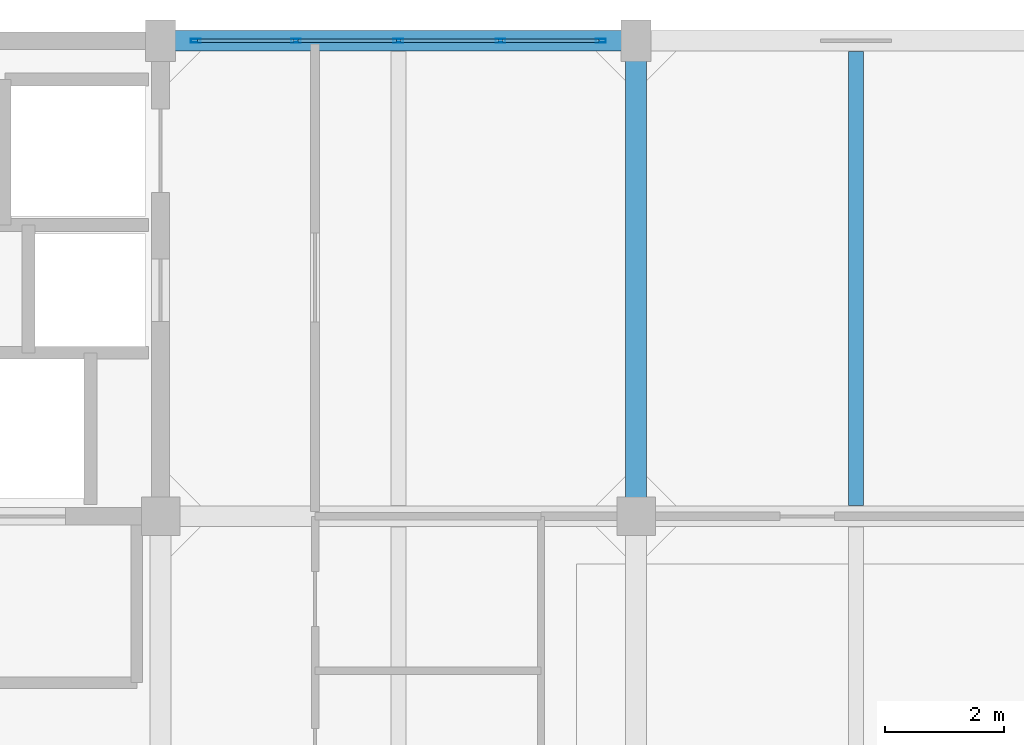
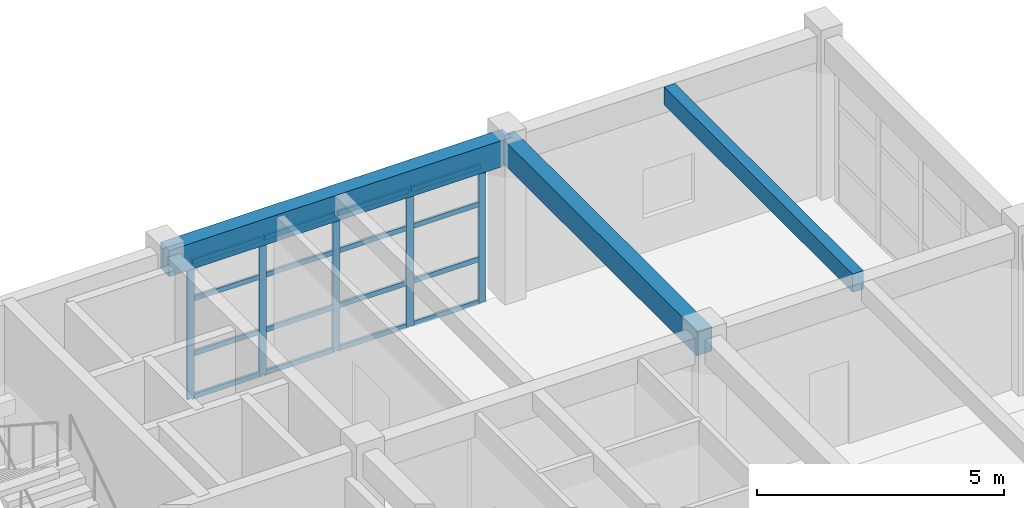
# One storey, part 13 of 20: 21 members, 3 beams, 1 element without a shape of its own.
"""IFC4 building model written with IfcOpenShell, lengths in metres."""

from ifc_helpers import new_model, si_unit, direction, frame, origin, origin_2d, place, context, subcontext, project, spatial, rectangle, hollow_rectangle, extrude, material, layer, layer_set, material_profile, profile_set, type_object, element, aggregate, save


model = new_model("IFC4")

# Units and contexts
model_context = context("Model", 3, precision=1e-05, world=origin(), true_north=direction((0.0, 1.0)))
body_context = subcontext(model_context, "Body", "Model", "MODEL_VIEW")
ifc_project = project(units=[si_unit("LENGTHUNIT", "METRE"), si_unit("AREAUNIT", "SQUARE_METRE"), si_unit("VOLUMEUNIT", "CUBIC_METRE"), si_unit("PLANEANGLEUNIT", "RADIAN"), si_unit("MASSUNIT", "GRAM", prefix="KILO")], contexts=[model_context])

# Site, building, storey
site_placement = place(None, origin())
site = spatial("IfcSite", under=ifc_project, at=site_placement, CompositionType="ELEMENT")
building_placement = place(site_placement, origin())
building = spatial("IfcBuilding", under=site, at=building_placement, Name="Canggui Botanical Conservatory", CompositionType="ELEMENT")
storey_placement = place(building_placement, frame((0.0, 0.0, 57.0)))
storey = spatial("IfcBuildingStorey", under=building, at=storey_placement, Name="L14", CompositionType="ELEMENT", Elevation=57.0)

# Beams
ifc_material_1 = material(Name="Concrete C35", Category="concrete")
ifc_material_profile_1 = material_profile(ifc_material_1, rectangle(XDim=0.25, YDim=0.449951171875, at=origin_2d()), Name="RB 250x450")
ifc_profile_set_1 = profile_set([ifc_material_profile_1], Name="Concrete C35")
beam_type_1 = type_object("IfcBeamType", Name="BM-JST05", PredefinedType="JOIST", material=ifc_profile_set_1)
beam_1_placement = place(storey_placement, frame((173.699951171875, 58.179931640625, 3.735107421875), z_axis=(0.0, 1.0, 0.0), x_axis=(-1.0, 0.0, 0.0)))
element("IfcBeam", 1, at=beam_1_placement, inside=storey, type_object=beam_type_1, Name="Secondary Floor Joist L14-4-3", PredefinedType="JOIST", context=body_context, shape_type="SweptSolid", body=[
    extrude(rectangle(XDim=0.25, YDim=0.449951171875, at=origin_2d()), origin(), (0.0, 0.0, 1.0), 7.64013671875),
])
ifc_material_profile_2 = material_profile(ifc_material_1, rectangle(XDim=0.35009765625, YDim=0.64990234375, at=origin_2d()), Name="RB 350x650")
ifc_profile_set_2 = profile_set([ifc_material_profile_2], Name="Concrete C35")
beam_type_2 = type_object("IfcBeamType", Name="BM-KL18", PredefinedType="BEAM", material=ifc_profile_set_2)
beam_2_placement = place(storey_placement, frame((162.0, 66.0, 3.635009765625), z_axis=(1.0, 0.0, 0.0), x_axis=(0.0, 1.0, 0.0)))
element("IfcBeam", 2, at=beam_2_placement, inside=storey, type_object=beam_type_2, Name="Frame Girder L14 Y66-3", PredefinedType="BEAM", context=body_context, shape_type="SweptSolid", body=[
    extrude(rectangle(XDim=0.35009765625, YDim=0.64990234375, at=origin_2d()), origin(), (0.0, 0.0, 1.0), 8.0),
])
ifc_material_profile_3 = material_profile(ifc_material_1, rectangle(XDim=0.35009765625, YDim=0.60009765625, at=origin_2d()), Name="RB 350x600")
ifc_profile_set_3 = profile_set([ifc_material_profile_3], Name="Concrete C35")
beam_type_3 = type_object("IfcBeamType", Name="BM-KL19", PredefinedType="BEAM", material=ifc_profile_set_3)
beam_3_placement = place(storey_placement, frame((170.0, 58.0, 3.659912109375), z_axis=(0.0, 1.0, 0.0), x_axis=(-1.0, 0.0, 0.0)))
element("IfcBeam", 3, at=beam_3_placement, inside=storey, type_object=beam_type_3, Name="Frame Girder L14 X170-3", PredefinedType="BEAM", context=body_context, shape_type="SweptSolid", body=[
    extrude(rectangle(XDim=0.35009765625, YDim=0.60009765625, at=origin_2d()), origin(), (0.0, 0.0, 1.0), 8.0),
])

# Curtain wall, members
ifc_material_2 = material(Name="Thermally Broken Aluminium", Category="aluminium")
ifc_layer = layer(ifc_material_2, 0.1650390625, Name="Thermally Broken Aluminium", Category="aluminium")
ifc_layer_set = layer_set([ifc_layer], Name="Thermally Broken Aluminium")
curtain_wall_type = type_object("IfcCurtainWallType", Name="CW-UNIT-B", PredefinedType="USERDEFINED", material=ifc_layer_set)
curtain_wall_placement = place(storey_placement, origin())
curtain_wall = element("IfcCurtainWall", 4, at=curtain_wall_placement, inside=storey, type_object=curtain_wall_type, Name="Facade Curtain Wall CW-TWR-L14-08", ObjectType="UNITISED CURTAIN WALL", PredefinedType="USERDEFINED")
ifc_material_profile_4 = material_profile(ifc_material_2, hollow_rectangle(XDim=0.06494140625, YDim=0.1650390625, WallThickness=0.00390625, at=origin_2d()), Name="CWM 65x165x4")
ifc_profile_set_4 = profile_set([ifc_material_profile_4], Name="Thermally Broken Aluminium")
member_type_1 = type_object("IfcMemberType", Name="CWM-02", PredefinedType="MULLION", material=ifc_profile_set_4)
member_1_placement = place(storey_placement, frame((162.592529296875, 66.0, 0.0), z_axis=(0.0, 0.0, 1.0), x_axis=(0.0, 1.0, 0.0)))
member_1 = element("IfcMember", 5, at=member_1_placement, type_object=member_type_1, Name="CW-02 mullion 1", PredefinedType="MULLION", context=body_context, shape_type="SweptSolid", body=[
    extrude(hollow_rectangle(XDim=0.06494140625, YDim=0.1650390625, WallThickness=0.00390625, at=origin_2d()), origin(), (0.0, 0.0, 1.0), 3.39990234375),
])
member_2_placement = place(storey_placement, frame((164.280029296875, 66.0, 0.0), z_axis=(0.0, 0.0, 1.0), x_axis=(0.0, 1.0, 0.0)))
member_2 = element("IfcMember", 6, at=member_2_placement, type_object=member_type_1, Name="CW-02 mullion 2", PredefinedType="MULLION", context=body_context, shape_type="SweptSolid", body=[
    extrude(hollow_rectangle(XDim=0.06494140625, YDim=0.1650390625, WallThickness=0.00390625, at=origin_2d()), origin(), (0.0, 0.0, 1.0), 3.39990234375),
])
member_3_placement = place(storey_placement, frame((166.0, 66.0, 0.0), z_axis=(0.0, 0.0, 1.0), x_axis=(0.0, 1.0, 0.0)))
member_3 = element("IfcMember", 7, at=member_3_placement, type_object=member_type_1, Name="CW-02 mullion 3", PredefinedType="MULLION", context=body_context, shape_type="SweptSolid", body=[
    extrude(hollow_rectangle(XDim=0.06494140625, YDim=0.1650390625, WallThickness=0.00390625, at=origin_2d()), origin(), (0.0, 0.0, 1.0), 3.39990234375),
])
member_4_placement = place(storey_placement, frame((167.719970703125, 66.0, 0.0), z_axis=(0.0, 0.0, 1.0), x_axis=(0.0, 1.0, 0.0)))
member_4 = element("IfcMember", 8, at=member_4_placement, type_object=member_type_1, Name="CW-02 mullion 4", PredefinedType="MULLION", context=body_context, shape_type="SweptSolid", body=[
    extrude(hollow_rectangle(XDim=0.06494140625, YDim=0.1650390625, WallThickness=0.00390625, at=origin_2d()), origin(), (0.0, 0.0, 1.0), 3.39990234375),
])
member_5_placement = place(storey_placement, frame((169.407470703125, 66.0, 0.0), z_axis=(0.0, 0.0, 1.0), x_axis=(0.0, 1.0, 0.0)))
member_5 = element("IfcMember", 9, at=member_5_placement, type_object=member_type_1, Name="CW-02 mullion 5", PredefinedType="MULLION", context=body_context, shape_type="SweptSolid", body=[
    extrude(hollow_rectangle(XDim=0.06494140625, YDim=0.1650390625, WallThickness=0.00390625, at=origin_2d()), origin(), (0.0, 0.0, 1.0), 3.39990234375),
])
ifc_material_profile_5 = material_profile(ifc_material_2, hollow_rectangle(XDim=0.06005859375, YDim=0.1201171875, WallThickness=0.00341796875, at=origin_2d()), Name="CWT 60x120x3.5")
ifc_profile_set_5 = profile_set([ifc_material_profile_5], Name="Thermally Broken Aluminium")
member_type_2 = type_object("IfcMemberType", Name="CWT-02", PredefinedType="USERDEFINED", material=ifc_profile_set_5)
member_6_placement = place(storey_placement, frame((162.625, 66.0, 0.030029296875), z_axis=(1.0, 0.0, 0.0), x_axis=(0.0, 1.0, 0.0)))
member_6 = element("IfcMember", 10, at=member_6_placement, type_object=member_type_2, Name="CW-02 transom 1.1", ObjectType="TRANSOM", PredefinedType="USERDEFINED", context=body_context, shape_type="SweptSolid", body=[
    extrude(hollow_rectangle(XDim=0.06005859375, YDim=0.1201171875, WallThickness=0.00341796875, at=origin_2d()), origin(), (0.0, 0.0, 1.0), 1.62255859375),
])
member_7_placement = place(storey_placement, frame((162.625, 66.0, 1.087890625), z_axis=(1.0, 0.0, 0.0), x_axis=(0.0, 1.0, 0.0)))
member_7 = element("IfcMember", 11, at=member_7_placement, type_object=member_type_2, Name="CW-02 transom 1.2", ObjectType="TRANSOM", PredefinedType="USERDEFINED", context=body_context, shape_type="SweptSolid", body=[
    extrude(hollow_rectangle(XDim=0.06005859375, YDim=0.1201171875, WallThickness=0.00341796875, at=origin_2d()), origin(), (0.0, 0.0, 1.0), 1.62255859375),
])
member_8_placement = place(storey_placement, frame((162.625, 66.0, 2.447998046875), z_axis=(1.0, 0.0, 0.0), x_axis=(0.0, 1.0, 0.0)))
member_8 = element("IfcMember", 12, at=member_8_placement, type_object=member_type_2, Name="CW-02 transom 1.3", ObjectType="TRANSOM", PredefinedType="USERDEFINED", context=body_context, shape_type="SweptSolid", body=[
    extrude(hollow_rectangle(XDim=0.06005859375, YDim=0.1201171875, WallThickness=0.00341796875, at=origin_2d()), origin(), (0.0, 0.0, 1.0), 1.62255859375),
])
member_9_placement = place(storey_placement, frame((162.625, 66.0, 3.3701171875), z_axis=(1.0, 0.0, 0.0), x_axis=(0.0, 1.0, 0.0)))
member_9 = element("IfcMember", 13, at=member_9_placement, type_object=member_type_2, Name="CW-02 transom 1.4", ObjectType="TRANSOM", PredefinedType="USERDEFINED", context=body_context, shape_type="SweptSolid", body=[
    extrude(hollow_rectangle(XDim=0.06005859375, YDim=0.1201171875, WallThickness=0.00341796875, at=origin_2d()), origin(), (0.0, 0.0, 1.0), 1.62255859375),
])
member_10_placement = place(storey_placement, frame((164.3125, 66.0, 0.030029296875), z_axis=(1.0, 0.0, 0.0), x_axis=(0.0, 1.0, 0.0)))
member_10 = element("IfcMember", 14, at=member_10_placement, type_object=member_type_2, Name="CW-02 transom 2.1", ObjectType="TRANSOM", PredefinedType="USERDEFINED", context=body_context, shape_type="SweptSolid", body=[
    extrude(hollow_rectangle(XDim=0.06005859375, YDim=0.1201171875, WallThickness=0.00341796875, at=origin_2d()), origin(), (0.0, 0.0, 1.0), 1.655029296875),
])
member_11_placement = place(storey_placement, frame((164.3125, 66.0, 1.087890625), z_axis=(1.0, 0.0, 0.0), x_axis=(0.0, 1.0, 0.0)))
member_11 = element("IfcMember", 15, at=member_11_placement, type_object=member_type_2, Name="CW-02 transom 2.2", ObjectType="TRANSOM", PredefinedType="USERDEFINED", context=body_context, shape_type="SweptSolid", body=[
    extrude(hollow_rectangle(XDim=0.06005859375, YDim=0.1201171875, WallThickness=0.00341796875, at=origin_2d()), origin(), (0.0, 0.0, 1.0), 1.655029296875),
])
member_12_placement = place(storey_placement, frame((164.3125, 66.0, 2.447998046875), z_axis=(1.0, 0.0, 0.0), x_axis=(0.0, 1.0, 0.0)))
member_12 = element("IfcMember", 16, at=member_12_placement, type_object=member_type_2, Name="CW-02 transom 2.3", ObjectType="TRANSOM", PredefinedType="USERDEFINED", context=body_context, shape_type="SweptSolid", body=[
    extrude(hollow_rectangle(XDim=0.06005859375, YDim=0.1201171875, WallThickness=0.00341796875, at=origin_2d()), origin(), (0.0, 0.0, 1.0), 1.655029296875),
])
member_13_placement = place(storey_placement, frame((164.3125, 66.0, 3.3701171875), z_axis=(1.0, 0.0, 0.0), x_axis=(0.0, 1.0, 0.0)))
member_13 = element("IfcMember", 17, at=member_13_placement, type_object=member_type_2, Name="CW-02 transom 2.4", ObjectType="TRANSOM", PredefinedType="USERDEFINED", context=body_context, shape_type="SweptSolid", body=[
    extrude(hollow_rectangle(XDim=0.06005859375, YDim=0.1201171875, WallThickness=0.00341796875, at=origin_2d()), origin(), (0.0, 0.0, 1.0), 1.655029296875),
])
member_14_placement = place(storey_placement, frame((166.032470703125, 66.0, 0.030029296875), z_axis=(1.0, 0.0, 0.0), x_axis=(0.0, 1.0, 0.0)))
member_14 = element("IfcMember", 18, at=member_14_placement, type_object=member_type_2, Name="CW-02 transom 3.1", ObjectType="TRANSOM", PredefinedType="USERDEFINED", context=body_context, shape_type="SweptSolid", body=[
    extrude(hollow_rectangle(XDim=0.06005859375, YDim=0.1201171875, WallThickness=0.00341796875, at=origin_2d()), origin(), (0.0, 0.0, 1.0), 1.655029296875),
])
member_15_placement = place(storey_placement, frame((166.032470703125, 66.0, 1.087890625), z_axis=(1.0, 0.0, 0.0), x_axis=(0.0, 1.0, 0.0)))
member_15 = element("IfcMember", 19, at=member_15_placement, type_object=member_type_2, Name="CW-02 transom 3.2", ObjectType="TRANSOM", PredefinedType="USERDEFINED", context=body_context, shape_type="SweptSolid", body=[
    extrude(hollow_rectangle(XDim=0.06005859375, YDim=0.1201171875, WallThickness=0.00341796875, at=origin_2d()), origin(), (0.0, 0.0, 1.0), 1.655029296875),
])
member_16_placement = place(storey_placement, frame((166.032470703125, 66.0, 2.447998046875), z_axis=(1.0, 0.0, 0.0), x_axis=(0.0, 1.0, 0.0)))
member_16 = element("IfcMember", 20, at=member_16_placement, type_object=member_type_2, Name="CW-02 transom 3.3", ObjectType="TRANSOM", PredefinedType="USERDEFINED", context=body_context, shape_type="SweptSolid", body=[
    extrude(hollow_rectangle(XDim=0.06005859375, YDim=0.1201171875, WallThickness=0.00341796875, at=origin_2d()), origin(), (0.0, 0.0, 1.0), 1.655029296875),
])
member_17_placement = place(storey_placement, frame((166.032470703125, 66.0, 3.3701171875), z_axis=(1.0, 0.0, 0.0), x_axis=(0.0, 1.0, 0.0)))
member_17 = element("IfcMember", 21, at=member_17_placement, type_object=member_type_2, Name="CW-02 transom 3.4", ObjectType="TRANSOM", PredefinedType="USERDEFINED", context=body_context, shape_type="SweptSolid", body=[
    extrude(hollow_rectangle(XDim=0.06005859375, YDim=0.1201171875, WallThickness=0.00341796875, at=origin_2d()), origin(), (0.0, 0.0, 1.0), 1.655029296875),
])
member_18_placement = place(storey_placement, frame((167.75244140625, 66.0, 0.030029296875), z_axis=(1.0, 0.0, 0.0), x_axis=(0.0, 1.0, 0.0)))
member_18 = element("IfcMember", 22, at=member_18_placement, type_object=member_type_2, Name="CW-02 transom 4.1", ObjectType="TRANSOM", PredefinedType="USERDEFINED", context=body_context, shape_type="SweptSolid", body=[
    extrude(hollow_rectangle(XDim=0.06005859375, YDim=0.1201171875, WallThickness=0.00341796875, at=origin_2d()), origin(), (0.0, 0.0, 1.0), 1.62255859375),
])
member_19_placement = place(storey_placement, frame((167.75244140625, 66.0, 1.087890625), z_axis=(1.0, 0.0, 0.0), x_axis=(0.0, 1.0, 0.0)))
member_19 = element("IfcMember", 23, at=member_19_placement, type_object=member_type_2, Name="CW-02 transom 4.2", ObjectType="TRANSOM", PredefinedType="USERDEFINED", context=body_context, shape_type="SweptSolid", body=[
    extrude(hollow_rectangle(XDim=0.06005859375, YDim=0.1201171875, WallThickness=0.00341796875, at=origin_2d()), origin(), (0.0, 0.0, 1.0), 1.62255859375),
])
member_20_placement = place(storey_placement, frame((167.75244140625, 66.0, 2.447998046875), z_axis=(1.0, 0.0, 0.0), x_axis=(0.0, 1.0, 0.0)))
member_20 = element("IfcMember", 24, at=member_20_placement, type_object=member_type_2, Name="CW-02 transom 4.3", ObjectType="TRANSOM", PredefinedType="USERDEFINED", context=body_context, shape_type="SweptSolid", body=[
    extrude(hollow_rectangle(XDim=0.06005859375, YDim=0.1201171875, WallThickness=0.00341796875, at=origin_2d()), origin(), (0.0, 0.0, 1.0), 1.62255859375),
])
member_21_placement = place(storey_placement, frame((167.75244140625, 66.0, 3.3701171875), z_axis=(1.0, 0.0, 0.0), x_axis=(0.0, 1.0, 0.0)))
member_21 = element("IfcMember", 25, at=member_21_placement, type_object=member_type_2, Name="CW-02 transom 4.4", ObjectType="TRANSOM", PredefinedType="USERDEFINED", context=body_context, shape_type="SweptSolid", body=[
    extrude(hollow_rectangle(XDim=0.06005859375, YDim=0.1201171875, WallThickness=0.00341796875, at=origin_2d()), origin(), (0.0, 0.0, 1.0), 1.62255859375),
])
aggregate(curtain_wall, [member_1, member_2, member_3, member_4, member_5, member_6, member_7, member_8, member_9, member_10, member_11, member_12, member_13, member_14, member_15, member_16, member_17, member_18, member_19, member_20, member_21])

save(model, "model.ifc")
